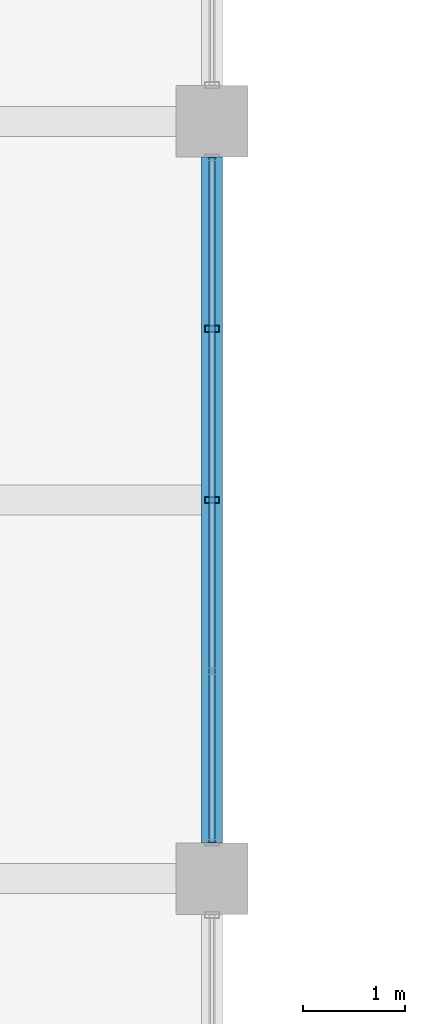
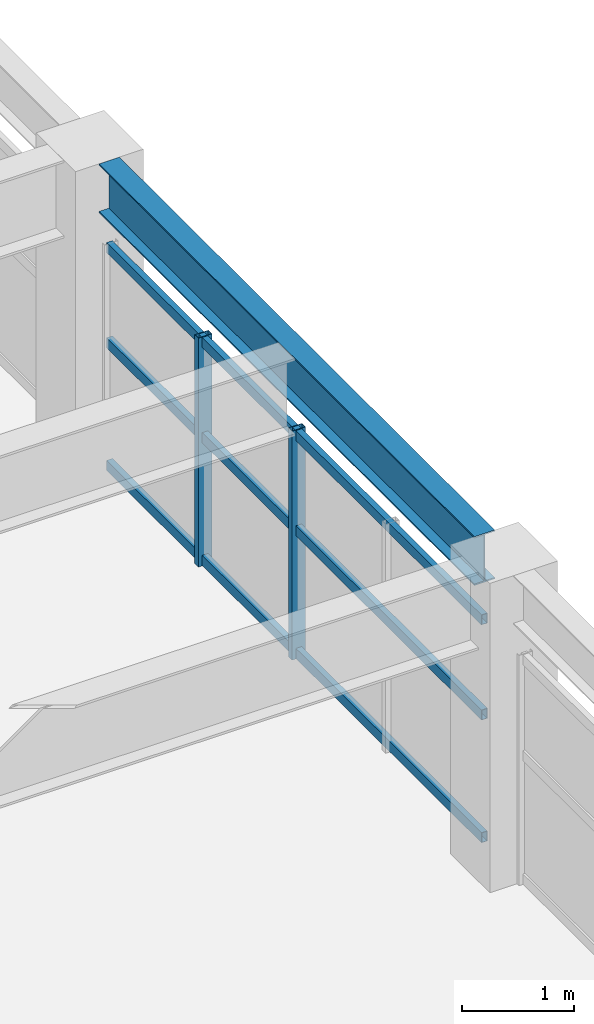
# One storey, part 65 of 121: 5 members, 1 beam, 1 element without a shape of its own.
"""IFC4 building model written with IfcOpenShell, lengths in metres."""

import ifcopenshell
import ifcopenshell.guid

model = None  # the IFC model being written
_history = None  # IfcOwnerHistory: only IFC2X3 demands one
_inside = {}  # id of a spatial element -> (the spatial element, [elements in it])
_under = {}  # id of a project, library or spatial element -> (it, [spatial elements below it])
_declared = {}  # id of a project -> (the project, [libraries it declares])
_typed = {}  # id of a type object -> (the type object, [elements of that type])
_made_of = {}  # id of a material, layer set ... -> (it, [elements and type objects made of it])


def new_model(schema):
    """Start an empty IFC model of exactly this schema.

    Asked for "IFC4X3", IfcOpenShell would pick the latest addendum, in which some entities
    have other attributes; the version numbers below select the first issue.
    IFC2X3 requires an IfcOwnerHistory on every rooted entity: one is made here for all.
    """
    global model, _history
    if schema == "IFC4X3":
        model = ifcopenshell.file(schema_version=(4, 3, 0, 0))
    else:
        model = ifcopenshell.file(schema=schema)
    _inside.clear()
    _under.clear()
    _declared.clear()
    _typed.clear()
    _made_of.clear()
    _history = None
    if model.schema == "IFC2X3":
        org = make("IfcOrganization", Name="unknown")
        user = make(
            "IfcPersonAndOrganization",
            ThePerson=make("IfcPerson", FamilyName="unknown"),
            TheOrganization=org,
        )
        app = make(
            "IfcApplication",
            ApplicationDeveloper=org,
            Version="unknown",
            ApplicationFullName="unknown",
            ApplicationIdentifier="unknown",
        )
        _history = make(
            "IfcOwnerHistory",
            OwningUser=user,
            OwningApplication=app,
            ChangeAction="ADDED",
            CreationDate=0,
        )
    return model


def make(cls, **values):
    """One entity of the class cls with the attributes given. An attribute that is None is left unset."""
    return model.create_entity(
        cls, **{name: value for name, value in values.items() if value is not None}
    )


def rooted(cls, **values):
    """An entity with a GlobalId (a new one), such as an element, a storey or a relation."""
    return make(cls, GlobalId=ifcopenshell.guid.new(), OwnerHistory=_history, **values)


def si_unit(unit_type, name, prefix=None):
    """IfcSIUnit, for example si_unit("LENGTHUNIT", "METRE", prefix="MILLI")."""
    return make("IfcSIUnit", UnitType=unit_type, Prefix=prefix, Name=name)


def assignment(units):
    """IfcUnitAssignment: the units of a project."""
    return None if units is None else make("IfcUnitAssignment", Units=units)


def point(xyz):
    """IfcCartesianPoint."""
    return None if xyz is None else make("IfcCartesianPoint", Coordinates=xyz)


def direction(xyz):
    """IfcDirection."""
    return None if xyz is None else make("IfcDirection", DirectionRatios=xyz)


def frame(location, z_axis=None, x_axis=None):
    """IfcAxis2Placement3D, a coordinate frame: its origin and axes. An axis left out is left unset."""
    return make(
        "IfcAxis2Placement3D",
        Location=point(location),
        Axis=direction(z_axis),
        RefDirection=direction(x_axis),
    )


def frame_2d(location, x_axis=None):
    """IfcAxis2Placement2D, a coordinate frame in the plane: its origin and x axis."""
    return make(
        "IfcAxis2Placement2D", Location=point(location), RefDirection=direction(x_axis)
    )


def origin():
    """The frame at (0, 0, 0) with its axes left unset."""
    return frame((0.0, 0.0, 0.0))


def origin_2d():
    """The frame at (0, 0) in the plane with its x axis left unset."""
    return frame_2d((0.0, 0.0))


def place(relative_to, where):
    """IfcLocalPlacement: puts the frame where relative to a parent placement (None: the world)."""
    return make(
        "IfcLocalPlacement", PlacementRelTo=relative_to, RelativePlacement=where
    )


def context(
    kind, dimensions, precision=None, world=None, true_north=None, identifier=None
):
    """IfcGeometricRepresentationContext, for example the 3D "Model" context."""
    return make(
        "IfcGeometricRepresentationContext",
        ContextIdentifier=identifier,
        ContextType=kind,
        CoordinateSpaceDimension=dimensions,
        Precision=precision,
        WorldCoordinateSystem=world,
        TrueNorth=true_north,
    )


def subcontext(parent, identifier, kind, view, scale=None):
    """IfcGeometricRepresentationSubContext, for example "Body" below "Model"."""
    return make(
        "IfcGeometricRepresentationSubContext",
        ContextIdentifier=identifier,
        ContextType=kind,
        ParentContext=parent,
        TargetScale=scale,
        TargetView=view,
    )


def project(units=None, contexts=None):
    """IfcProject with its units and contexts."""
    return rooted(
        "IfcProject",
        Name="project",
        RepresentationContexts=contexts,
        UnitsInContext=assignment(units),
    )


def spatial(cls, under=None, at=None, **own):
    """A site, building, storey or space (cls), placed at a placement, below another one or the project."""
    s = rooted(cls, ObjectPlacement=at, **own)
    if under is not None:
        _under.setdefault(under.id(), (under, []))[1].append(s)
    return s


def profile(cls, at=None, kind="AREA", **sizes):
    """A parametric profile (cls). Its sizes go by their IFC names, for example OverallWidth=200.0."""
    return make(cls, ProfileType=kind, Position=at, **sizes)


def hollow_rectangle(**sizes):
    """IfcRectangleHollowProfileDef."""
    return profile("IfcRectangleHollowProfileDef", **sizes)


def i_section(**sizes):
    """IfcIShapeProfileDef."""
    return profile("IfcIShapeProfileDef", **sizes)


def extrude(swept, where, along, depth):
    """IfcExtrudedAreaSolid: the profile swept, set in the frame where, extruded along a direction by depth."""
    return make(
        "IfcExtrudedAreaSolid",
        SweptArea=swept,
        Position=where,
        ExtrudedDirection=direction(along),
        Depth=depth,
    )


def shape(context_of_items, identifier, shape_type, items):
    """IfcShapeRepresentation: the items that make up one representation, for example the "Body"."""
    return make(
        "IfcShapeRepresentation",
        ContextOfItems=context_of_items,
        RepresentationIdentifier=identifier,
        RepresentationType=shape_type,
        Items=items,
    )


def material(Name=None, Category=None):
    """IfcMaterial."""
    return make("IfcMaterial", Name=Name, Category=Category)


def material_profile(
    of_material, cross_section, Name=None, Category=None, Priority=None
):
    """IfcMaterialProfile: a cross section and its material."""
    return make(
        "IfcMaterialProfile",
        Name=Name,
        Material=of_material,
        Profile=cross_section,
        Priority=Priority,
        Category=Category,
    )


def profile_set(profiles, Name=None, composite=None):
    """IfcMaterialProfileSet."""
    return make(
        "IfcMaterialProfileSet",
        Name=Name,
        MaterialProfiles=profiles,
        CompositeProfile=composite,
    )


def made_of(thing, what):
    """Note that an element or type object is made of a material, layer set ...; save() writes the relation."""
    if what is not None:
        _made_of.setdefault(what.id(), (what, []))[1].append(thing)
    return thing


def type_object(cls, material=None, **own):
    """A type object (cls), such as IfcWallType, which elements share."""
    return made_of(rooted(cls, **own), material)


def element(
    cls,
    number,
    at=None,
    inside=None,
    cuts=None,
    type_object=None,
    material=None,
    context=None,
    identifier="Body",
    shape_type=None,
    held_by="IfcProductDefinitionShape",
    body=None,
    shapes=None,
    **own,
):
    """One element of the class cls, such as IfcWall. Its Tag is "e" and its number.

    at: its placement. inside: the storey or other place that contains it. cuts: it is an
    opening in that element (IfcRelVoidsElement). A single representation is given by context,
    identifier, shape_type and body (its items); several are given by shapes. held_by: the class
    of the entity that holds the representations. save() writes the other relations.
    """
    e = rooted(cls, Tag="e%d" % number, ObjectPlacement=at, **own)
    if body is not None:
        shapes = [shape(context, identifier, shape_type, body)]
    if shapes is not None:
        e.Representation = make(held_by, Representations=shapes)
    if inside is not None:
        _inside.setdefault(inside.id(), (inside, []))[1].append(e)
    if cuts is not None:
        rooted(
            "IfcRelVoidsElement", RelatingBuildingElement=cuts, RelatedOpeningElement=e
        )
    if type_object is not None:
        _typed.setdefault(type_object.id(), (type_object, []))[1].append(e)
    return made_of(e, material)


def aggregate(whole, parts):
    """IfcRelAggregates: a whole, such as a stair, and the parts it consists of."""
    return rooted("IfcRelAggregates", RelatingObject=whole, RelatedObjects=parts)


def save(model, path):
    """Write the relations noted so far, then the file.

    IfcRelAggregates (storeys below a building ...), IfcRelContainedInSpatialStructure (elements
    in a storey), IfcRelDefinesByType, IfcRelAssociatesMaterial and IfcRelDeclares: one each for
    every whole, place, type object, material and project.
    """
    for whole, parts in _under.values():
        aggregate(whole, parts)
    for where, things in _inside.values():
        rooted(
            "IfcRelContainedInSpatialStructure",
            RelatedElements=things,
            RelatingStructure=where,
        )
    for kind, things in _typed.values():
        rooted("IfcRelDefinesByType", RelatedObjects=things, RelatingType=kind)
    for what, things in _made_of.values():
        rooted("IfcRelAssociatesMaterial", RelatedObjects=things, RelatingMaterial=what)
    for by, libraries in _declared.values():
        rooted("IfcRelDeclares", RelatingContext=by, RelatedDefinitions=libraries)
    model.write(path)


model = new_model("IFC4")

# Units and contexts
model_context = context("Model", 3, precision=1e-05, world=origin(), true_north=direction((0.0, 1.0)))
body_context = subcontext(model_context, "Body", "Model", "MODEL_VIEW")
ifc_project = project(units=[si_unit("LENGTHUNIT", "METRE"), si_unit("AREAUNIT", "SQUARE_METRE"), si_unit("VOLUMEUNIT", "CUBIC_METRE"), si_unit("PLANEANGLEUNIT", "RADIAN"), si_unit("MASSUNIT", "GRAM", prefix="KILO")], contexts=[model_context])

# Site, building, storey
site_placement = place(None, origin())
site = spatial("IfcSite", under=ifc_project, at=site_placement, CompositionType="ELEMENT")
building_placement = place(site_placement, origin())
building = spatial("IfcBuilding", under=site, at=building_placement, Name="Cimatlan Art Gallery", CompositionType="ELEMENT")
storey_placement = place(building_placement, frame((0.0, 0.0, 10.199951171875)))
storey = spatial("IfcBuildingStorey", under=building, at=storey_placement, Name="L02", CompositionType="ELEMENT", Elevation=10.199951171875)

# Beam
ifc_material_1 = material(Name="Steel ASTM A992 Grade 50", Category="steel")
ifc_material_profile_1 = material_profile(ifc_material_1, i_section(OverallWidth=0.2099609375, OverallDepth=0.532958984375, WebThickness=0.01025390625, FlangeThickness=0.015625, at=origin_2d()), Name="W21X62")
ifc_profile_set_1 = profile_set([ifc_material_profile_1], Name="Steel ASTM A992 Grade 50")
beam_type = type_object("IfcBeamType", Name="BM-STL-W21X62", PredefinedType="BEAM", material=ifc_profile_set_1)
beam_placement = place(storey_placement, frame((99.199951171875, 76.050048828125, 3.103515625), z_axis=(0.0, 1.0, 0.0), x_axis=(-1.0, 0.0, 0.0)))
element("IfcBeam", 1, at=beam_placement, inside=storey, type_object=beam_type, Name="BM-Y-L02-12-10", PredefinedType="BEAM", context=body_context, shape_type="SweptSolid", body=[
    extrude(i_section(OverallWidth=0.2099609375, OverallDepth=0.532958984375, WebThickness=0.01025390625, FlangeThickness=0.015625, at=origin_2d()), origin(), (0.0, 0.0, 1.0), 6.699951171875),
])

# Curtain wall, members
ifc_material_2 = material(Name="Anodised bronze unitised curtain wall")
curtain_wall_type = type_object("IfcCurtainWallType", Name="CW-V-06692X02494-B4", PredefinedType="NOTDEFINED", material=ifc_material_2)
curtain_wall_placement = place(storey_placement, origin())
curtain_wall = element("IfcCurtainWall", 2, at=curtain_wall_placement, inside=storey, type_object=curtain_wall_type, Name="CW-L02-11-10-E", PredefinedType="NOTDEFINED")
ifc_material_3 = material(Name="Anodised bronze aluminium 6063-T6", Category="aluminium")
ifc_material_profile_2 = material_profile(ifc_material_3, hollow_rectangle(XDim=0.06494140625, YDim=0.139892578125, WallThickness=0.00390625, at=origin_2d()), Name="ALU65X140X4")
ifc_profile_set_2 = profile_set([ifc_material_profile_2], Name="Anodised bronze aluminium 6063-T6")
member_type_1 = type_object("IfcMemberType", Name="CW-MUL-140", PredefinedType="MULLION", material=ifc_profile_set_2)
member_1_placement = place(storey_placement, frame((99.199951171875, 81.072998046875, 0.0), z_axis=(0.0, 0.0, 1.0), x_axis=(0.0, 1.0, 0.0)))
member_1 = element("IfcMember", 3, at=member_1_placement, type_object=member_type_1, Name="CW-L02-11-10-E-M2", PredefinedType="MULLION", context=body_context, shape_type="SweptSolid", body=[
    extrude(hollow_rectangle(XDim=0.06494140625, YDim=0.139892578125, WallThickness=0.00390625, at=origin_2d()), origin(), (0.0, 0.0, 1.0), 2.494140625),
])
member_2_placement = place(storey_placement, frame((99.199951171875, 79.39990234375, 0.0), z_axis=(0.0, 0.0, 1.0), x_axis=(0.0, 1.0, 0.0)))
member_2 = element("IfcMember", 4, at=member_2_placement, type_object=member_type_1, Name="CW-L02-11-10-E-M3", PredefinedType="MULLION", context=body_context, shape_type="SweptSolid", body=[
    extrude(hollow_rectangle(XDim=0.06494140625, YDim=0.139892578125, WallThickness=0.00390625, at=origin_2d()), origin(), (0.0, 0.0, 1.0), 2.494140625),
])
ifc_material_profile_3 = material_profile(ifc_material_3, hollow_rectangle(XDim=0.06005859375, YDim=0.110107421875, WallThickness=0.00341796875, at=origin_2d()), Name="ALU60X110X3")
ifc_profile_set_3 = profile_set([ifc_material_profile_3], Name="Anodised bronze aluminium 6063-T6")
member_type_2 = type_object("IfcMemberType", Name="CW-TRN-110", PredefinedType="USERDEFINED", material=ifc_profile_set_3)
member_3_placement = place(storey_placement, frame((99.199951171875, 82.74609375, 0.06005859375), z_axis=(0.0, -1.0, 0.0), x_axis=(1.0, 0.0, 0.0)))
member_3 = element("IfcMember", 5, at=member_3_placement, type_object=member_type_2, Name="CW-L02-11-10-E-T1", ObjectType="TRANSOM", PredefinedType="USERDEFINED", context=body_context, shape_type="SweptSolid", body=[
    extrude(hollow_rectangle(XDim=0.06005859375, YDim=0.110107421875, WallThickness=0.00341796875, at=origin_2d()), origin(), (0.0, 0.0, 1.0), 6.692138671875),
])
member_4_placement = place(storey_placement, frame((99.199951171875, 82.74609375, 1.396728515625), z_axis=(0.0, -1.0, 0.0), x_axis=(1.0, 0.0, 0.0)))
member_4 = element("IfcMember", 6, at=member_4_placement, type_object=member_type_2, Name="CW-L02-11-10-E-T2", ObjectType="TRANSOM", PredefinedType="USERDEFINED", context=body_context, shape_type="SweptSolid", body=[
    extrude(hollow_rectangle(XDim=0.06005859375, YDim=0.110107421875, WallThickness=0.00341796875, at=origin_2d()), origin(), (0.0, 0.0, 1.0), 6.692138671875),
])
member_5_placement = place(storey_placement, frame((99.199951171875, 82.74609375, 2.43408203125), z_axis=(0.0, -1.0, 0.0), x_axis=(1.0, 0.0, 0.0)))
member_5 = element("IfcMember", 7, at=member_5_placement, type_object=member_type_2, Name="CW-L02-11-10-E-T3", ObjectType="TRANSOM", PredefinedType="USERDEFINED", context=body_context, shape_type="SweptSolid", body=[
    extrude(hollow_rectangle(XDim=0.06005859375, YDim=0.110107421875, WallThickness=0.00341796875, at=origin_2d()), origin(), (0.0, 0.0, 1.0), 6.692138671875),
])
aggregate(curtain_wall, [member_1, member_2, member_3, member_4, member_5])

save(model, "model.ifc")
